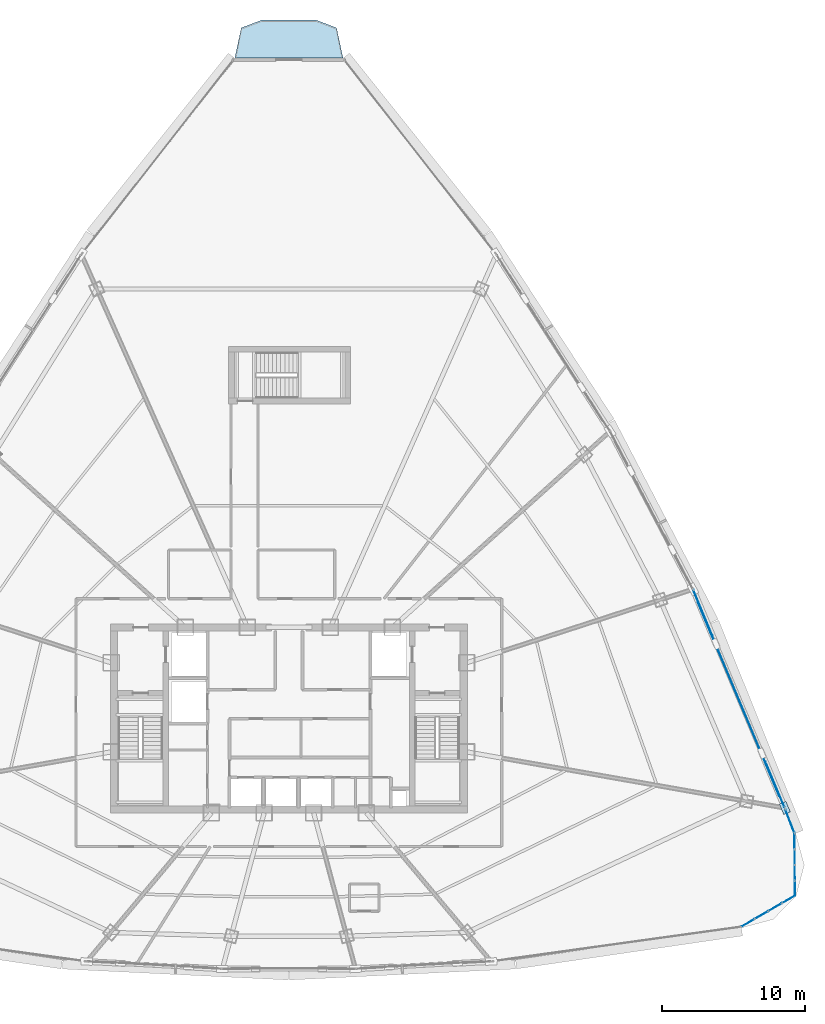
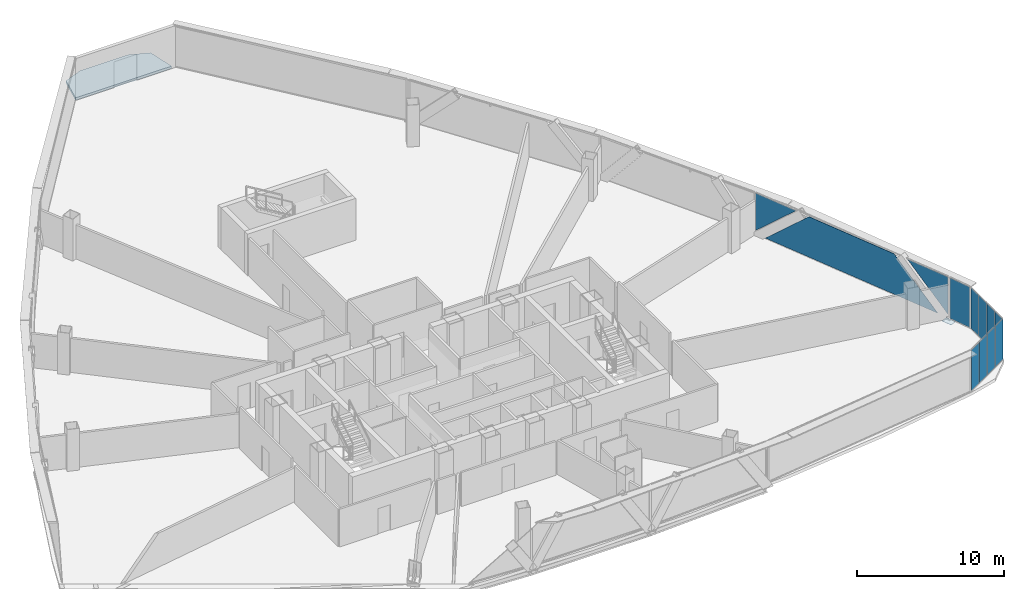
# One storey, part 29 of 37: 13 plates, 1 slab, 4 elements without a shape of their own.
"""IFC4 building model written with IfcOpenShell, lengths in metres."""

import ifcopenshell
import ifcopenshell.guid

model = None  # the IFC model being written
_history = None  # IfcOwnerHistory: only IFC2X3 demands one
_inside = {}  # id of a spatial element -> (the spatial element, [elements in it])
_under = {}  # id of a project, library or spatial element -> (it, [spatial elements below it])
_declared = {}  # id of a project -> (the project, [libraries it declares])
_typed = {}  # id of a type object -> (the type object, [elements of that type])
_made_of = {}  # id of a material, layer set ... -> (it, [elements and type objects made of it])


def new_model(schema):
    """Start an empty IFC model of exactly this schema.

    Asked for "IFC4X3", IfcOpenShell would pick the latest addendum, in which some entities
    have other attributes; the version numbers below select the first issue.
    IFC2X3 requires an IfcOwnerHistory on every rooted entity: one is made here for all.
    """
    global model, _history
    if schema == "IFC4X3":
        model = ifcopenshell.file(schema_version=(4, 3, 0, 0))
    else:
        model = ifcopenshell.file(schema=schema)
    _inside.clear()
    _under.clear()
    _declared.clear()
    _typed.clear()
    _made_of.clear()
    _history = None
    if model.schema == "IFC2X3":
        org = make("IfcOrganization", Name="unknown")
        user = make(
            "IfcPersonAndOrganization",
            ThePerson=make("IfcPerson", FamilyName="unknown"),
            TheOrganization=org,
        )
        app = make(
            "IfcApplication",
            ApplicationDeveloper=org,
            Version="unknown",
            ApplicationFullName="unknown",
            ApplicationIdentifier="unknown",
        )
        _history = make(
            "IfcOwnerHistory",
            OwningUser=user,
            OwningApplication=app,
            ChangeAction="ADDED",
            CreationDate=0,
        )
    return model


def make(cls, **values):
    """One entity of the class cls with the attributes given. An attribute that is None is left unset."""
    return model.create_entity(
        cls, **{name: value for name, value in values.items() if value is not None}
    )


def rooted(cls, **values):
    """An entity with a GlobalId (a new one), such as an element, a storey or a relation."""
    return make(cls, GlobalId=ifcopenshell.guid.new(), OwnerHistory=_history, **values)


def si_unit(unit_type, name, prefix=None):
    """IfcSIUnit, for example si_unit("LENGTHUNIT", "METRE", prefix="MILLI")."""
    return make("IfcSIUnit", UnitType=unit_type, Prefix=prefix, Name=name)


def assignment(units):
    """IfcUnitAssignment: the units of a project."""
    return None if units is None else make("IfcUnitAssignment", Units=units)


def point(xyz):
    """IfcCartesianPoint."""
    return None if xyz is None else make("IfcCartesianPoint", Coordinates=xyz)


def direction(xyz):
    """IfcDirection."""
    return None if xyz is None else make("IfcDirection", DirectionRatios=xyz)


def frame(location, z_axis=None, x_axis=None):
    """IfcAxis2Placement3D, a coordinate frame: its origin and axes. An axis left out is left unset."""
    return make(
        "IfcAxis2Placement3D",
        Location=point(location),
        Axis=direction(z_axis),
        RefDirection=direction(x_axis),
    )


def frame_2d(location, x_axis=None):
    """IfcAxis2Placement2D, a coordinate frame in the plane: its origin and x axis."""
    return make(
        "IfcAxis2Placement2D", Location=point(location), RefDirection=direction(x_axis)
    )


def origin():
    """The frame at (0, 0, 0) with its axes left unset."""
    return frame((0.0, 0.0, 0.0))


def origin_2d():
    """The frame at (0, 0) in the plane with its x axis left unset."""
    return frame_2d((0.0, 0.0))


def place(relative_to, where):
    """IfcLocalPlacement: puts the frame where relative to a parent placement (None: the world)."""
    return make(
        "IfcLocalPlacement", PlacementRelTo=relative_to, RelativePlacement=where
    )


def context(
    kind, dimensions, precision=None, world=None, true_north=None, identifier=None
):
    """IfcGeometricRepresentationContext, for example the 3D "Model" context."""
    return make(
        "IfcGeometricRepresentationContext",
        ContextIdentifier=identifier,
        ContextType=kind,
        CoordinateSpaceDimension=dimensions,
        Precision=precision,
        WorldCoordinateSystem=world,
        TrueNorth=true_north,
    )


def subcontext(parent, identifier, kind, view, scale=None):
    """IfcGeometricRepresentationSubContext, for example "Body" below "Model"."""
    return make(
        "IfcGeometricRepresentationSubContext",
        ContextIdentifier=identifier,
        ContextType=kind,
        ParentContext=parent,
        TargetScale=scale,
        TargetView=view,
    )


def project(units=None, contexts=None):
    """IfcProject with its units and contexts."""
    return rooted(
        "IfcProject",
        Name="project",
        RepresentationContexts=contexts,
        UnitsInContext=assignment(units),
    )


def spatial(cls, under=None, at=None, **own):
    """A site, building, storey or space (cls), placed at a placement, below another one or the project."""
    s = rooted(cls, ObjectPlacement=at, **own)
    if under is not None:
        _under.setdefault(under.id(), (under, []))[1].append(s)
    return s


def polyline(points):
    """IfcPolyline through the points."""
    return make("IfcPolyline", Points=[point(p) for p in points])


def profile(cls, at=None, kind="AREA", **sizes):
    """A parametric profile (cls). Its sizes go by their IFC names, for example OverallWidth=200.0."""
    return make(cls, ProfileType=kind, Position=at, **sizes)


def rectangle(**sizes):
    """IfcRectangleProfileDef."""
    return profile("IfcRectangleProfileDef", **sizes)


def outline(outer, holes=None, kind="AREA"):
    """IfcArbitraryClosedProfileDef: a profile drawn as a closed curve; with holes, ...WithVoids."""
    if holes is None:
        return make("IfcArbitraryClosedProfileDef", ProfileType=kind, OuterCurve=outer)
    return make(
        "IfcArbitraryProfileDefWithVoids",
        ProfileType=kind,
        OuterCurve=outer,
        InnerCurves=holes,
    )


def extrude(swept, where, along, depth):
    """IfcExtrudedAreaSolid: the profile swept, set in the frame where, extruded along a direction by depth."""
    return make(
        "IfcExtrudedAreaSolid",
        SweptArea=swept,
        Position=where,
        ExtrudedDirection=direction(along),
        Depth=depth,
    )


def shape(context_of_items, identifier, shape_type, items):
    """IfcShapeRepresentation: the items that make up one representation, for example the "Body"."""
    return make(
        "IfcShapeRepresentation",
        ContextOfItems=context_of_items,
        RepresentationIdentifier=identifier,
        RepresentationType=shape_type,
        Items=items,
    )


def source(mapping_origin, context_of_items, identifier, shape_type, items):
    """IfcRepresentationMap: a shape defined once, which mapped items show again and again."""
    return make(
        "IfcRepresentationMap",
        MappingOrigin=mapping_origin,
        MappedRepresentation=shape(context_of_items, identifier, shape_type, items),
    )


def transform(
    local_origin,
    x_axis=None,
    y_axis=None,
    z_axis=None,
    scale=None,
    scale2=None,
    scale3=None,
    uniform=True,
):
    """IfcCartesianTransformationOperator3D, or its non-uniform kind. x_axis, y_axis, z_axis: its Axis1, 2, 3."""
    if uniform:
        return make(
            "IfcCartesianTransformationOperator3D",
            Axis1=direction(x_axis),
            Axis2=direction(y_axis),
            LocalOrigin=point(local_origin),
            Scale=scale,
            Axis3=direction(z_axis),
        )
    return make(
        "IfcCartesianTransformationOperator3DnonUniform",
        Axis1=direction(x_axis),
        Axis2=direction(y_axis),
        LocalOrigin=point(local_origin),
        Scale=scale,
        Axis3=direction(z_axis),
        Scale2=scale2,
        Scale3=scale3,
    )


def mapped(mapping_source, mapping_target):
    """IfcMappedItem: shows the shape of a source again, moved by a transform."""
    return make(
        "IfcMappedItem", MappingSource=mapping_source, MappingTarget=mapping_target
    )


def material(Name=None, Category=None):
    """IfcMaterial."""
    return make("IfcMaterial", Name=Name, Category=Category)


def layer(
    of_material, thickness, ventilated=None, Name=None, Category=None, Priority=None
):
    """IfcMaterialLayer: one layer of a wall or slab, of a material (None: an air gap)."""
    return make(
        "IfcMaterialLayer",
        Material=of_material,
        LayerThickness=thickness,
        IsVentilated=ventilated,
        Name=Name,
        Category=Category,
        Priority=Priority,
    )


def layer_set(layers, Name=None):
    """IfcMaterialLayerSet."""
    return make("IfcMaterialLayerSet", MaterialLayers=layers, LayerSetName=Name)


def made_of(thing, what):
    """Note that an element or type object is made of a material, layer set ...; save() writes the relation."""
    if what is not None:
        _made_of.setdefault(what.id(), (what, []))[1].append(thing)
    return thing


def type_object(cls, material=None, **own):
    """A type object (cls), such as IfcWallType, which elements share."""
    return made_of(rooted(cls, **own), material)


def element(
    cls,
    number,
    at=None,
    inside=None,
    cuts=None,
    type_object=None,
    material=None,
    context=None,
    identifier="Body",
    shape_type=None,
    held_by="IfcProductDefinitionShape",
    body=None,
    shapes=None,
    **own,
):
    """One element of the class cls, such as IfcWall. Its Tag is "e" and its number.

    at: its placement. inside: the storey or other place that contains it. cuts: it is an
    opening in that element (IfcRelVoidsElement). A single representation is given by context,
    identifier, shape_type and body (its items); several are given by shapes. held_by: the class
    of the entity that holds the representations. save() writes the other relations.
    """
    e = rooted(cls, Tag="e%d" % number, ObjectPlacement=at, **own)
    if body is not None:
        shapes = [shape(context, identifier, shape_type, body)]
    if shapes is not None:
        e.Representation = make(held_by, Representations=shapes)
    if inside is not None:
        _inside.setdefault(inside.id(), (inside, []))[1].append(e)
    if cuts is not None:
        rooted(
            "IfcRelVoidsElement", RelatingBuildingElement=cuts, RelatedOpeningElement=e
        )
    if type_object is not None:
        _typed.setdefault(type_object.id(), (type_object, []))[1].append(e)
    return made_of(e, material)


def aggregate(whole, parts):
    """IfcRelAggregates: a whole, such as a stair, and the parts it consists of."""
    return rooted("IfcRelAggregates", RelatingObject=whole, RelatedObjects=parts)


def save(model, path):
    """Write the relations noted so far, then the file.

    IfcRelAggregates (storeys below a building ...), IfcRelContainedInSpatialStructure (elements
    in a storey), IfcRelDefinesByType, IfcRelAssociatesMaterial and IfcRelDeclares: one each for
    every whole, place, type object, material and project.
    """
    for whole, parts in _under.values():
        aggregate(whole, parts)
    for where, things in _inside.values():
        rooted(
            "IfcRelContainedInSpatialStructure",
            RelatedElements=things,
            RelatingStructure=where,
        )
    for kind, things in _typed.values():
        rooted("IfcRelDefinesByType", RelatedObjects=things, RelatingType=kind)
    for what, things in _made_of.values():
        rooted("IfcRelAssociatesMaterial", RelatedObjects=things, RelatingMaterial=what)
    for by, libraries in _declared.values():
        rooted("IfcRelDeclares", RelatingContext=by, RelatedDefinitions=libraries)
    model.write(path)


model = new_model("IFC4")

# Units and contexts
model_context = context("Model", 3, precision=1e-05, world=origin(), true_north=direction((0.0, 1.0)))
body_context = subcontext(model_context, "Body", "Model", "MODEL_VIEW")
ifc_project = project(units=[si_unit("LENGTHUNIT", "METRE"), si_unit("AREAUNIT", "SQUARE_METRE"), si_unit("VOLUMEUNIT", "CUBIC_METRE"), si_unit("PLANEANGLEUNIT", "RADIAN"), si_unit("MASSUNIT", "GRAM", prefix="KILO"), si_unit("THERMODYNAMICTEMPERATUREUNIT", "KELVIN"), si_unit("POWERUNIT", "WATT")], contexts=[model_context])

# Site, building, storey
site_placement = place(None, origin())
site = spatial("IfcSite", under=ifc_project, at=site_placement, CompositionType="ELEMENT")
building_placement = place(site_placement, origin())
building = spatial("IfcBuilding", under=site, at=building_placement, Name="Yunzhuo Pagoda Commons", CompositionType="ELEMENT")
storey_placement = place(building_placement, frame((0.0, 0.0, 240.800048828125)))
storey = spatial("IfcBuildingStorey", under=building, at=storey_placement, Name="L60", CompositionType="ELEMENT", Elevation=240.800048828125)

# Curtain wall, plates
ifc_material_1 = material(Name="Anodized aluminium 6063-T6", Category="aluminium")
ifc_layer_1 = layer(ifc_material_1, 0.139892578125)
ifc_layer_set_1 = layer_set([ifc_layer_1], Name="Anodized aluminium 6063-T6")
curtain_wall_type_1 = type_object("IfcCurtainWallType", Name="CW-HI High-Zone Ribbon Curtain Wall", PredefinedType="NOTDEFINED", material=ifc_layer_set_1)
curtain_wall_1_placement = place(storey_placement, origin())
curtain_wall_1 = element("IfcCurtainWall", 1, at=curtain_wall_1_placement, inside=storey, type_object=curtain_wall_type_1, Name="L60 curtain wall CW-L60-F2B2", PredefinedType="NOTDEFINED")
ifc_material_2 = material(Name="Tempered low-e double glazing", Category="glass")
ifc_layer_2 = layer(ifc_material_2, 0.02587890625)
ifc_layer_set_2 = layer_set([ifc_layer_2], Name="Tempered low-e double glazing")
plate_type_1 = type_object("IfcPlateType", Name="CW-HI-P Low-E Double Glazing 26", PredefinedType="CURTAIN_PANEL", material=ifc_layer_set_2)
plate_1_placement = place(storey_placement, frame((81.900390625, 29.238525390625, 1.8603515625), z_axis=(0.922008372235, 0.387169938824, 0.0), x_axis=(-0.387169938824, 0.922008372235, 0.0)))
plate_1 = element("IfcPlate", 2, at=plate_1_placement, type_object=plate_type_1, Name="CW panel 1.1 lite 1", PredefinedType="CURTAIN_PANEL", context=body_context, shape_type="SweptSolid", body=[
    extrude(outline(polyline([(-1.724853515625, -1.5546875), (1.72509765625, 1.5546875), (-1.724853515625, 1.5546875), (-1.724853515625, -1.5546875)])), origin(), (0.0, 0.0, 1.0), 0.028076171875),
])
plate_2_placement = place(storey_placement, frame((79.359375, 35.212646484375, 1.73486328125), z_axis=(0.922008372235, 0.387169938824, 0.0), x_axis=(-0.387169938824, 0.922008372235, 0.0)))
plate_2 = element("IfcPlate", 3, at=plate_2_placement, type_object=plate_type_1, Name="CW panel 1.1 lite 2", PredefinedType="CURTAIN_PANEL", context=body_context, shape_type="SweptSolid", body=[
    extrude(outline(polyline([(-7.35986328125, -1.679931640625), (7.35986328125, -1.679931640625), (3.6318359375, 1.679931640625), (-3.6318359375, 1.679931640625), (-7.35986328125, -1.679931640625)])), origin(), (0.0, 0.0, 1.0), 0.028076171875),
])
plate_3_placement = place(storey_placement, frame((76.87353515625, 41.210205078125, 1.8603515625), z_axis=(0.922008372235, 0.387169938824, 0.0), x_axis=(-0.387169938824, 0.922008372235, 0.0)))
plate_3 = element("IfcPlate", 4, at=plate_3_placement, type_object=plate_type_1, Name="CW panel 1.1 lite 3", PredefinedType="CURTAIN_PANEL", context=body_context, shape_type="SweptSolid", body=[
    extrude(outline(polyline([(-1.72509765625, 1.5546875), (1.724853515625, -1.5546875), (1.724853515625, 1.5546875), (-1.72509765625, 1.5546875)])), origin(), (0.0, 0.0, 1.0), 0.028076171875),
])
aggregate(curtain_wall_1, [plate_1, plate_2, plate_3])

# Slab
ifc_material_3 = material(Name="Concrete C40", Category="concrete")
ifc_layer_3 = layer(ifc_material_3, 0.199951171875)
ifc_layer_set_3 = layer_set([ifc_layer_3], Name="Concrete C40")
slab_type = type_object("IfcSlabType", Name="SL-BAL Vertex Balcony Deck Slab 200", PredefinedType="FLOOR", material=ifc_layer_set_3)
slab_placement = place(storey_placement, frame((0.0, 0.0, -0.199951171875)))
element("IfcSlab", 5, at=slab_placement, inside=storey, type_object=slab_type, Name="L60 corner balcony V3", PredefinedType="FLOOR", context=body_context, shape_type="SweptSolid", body=[
    extrude(outline(polyline([(51.773681640625, 79.934814453125), (44.226318359375, 79.934814453125), (44.676513671875, 82.02978515625), (46.11328125, 82.579833984375), (49.88671875, 82.579833984375), (51.323486328125, 82.02978515625), (51.773681640625, 79.934814453125)])), origin(), (0.0, 0.0, 1.0), 0.199951171875),
])

# Plate
ifc_material_4 = material(Name="Structural steel Q355B", Category="steel")
ifc_layer_4 = layer(ifc_material_4, 0.028076171875)
ifc_layer_set_4 = layer_set([ifc_layer_4], Name="Structural steel Q355B")
plate_type_2 = type_object("IfcPlateType", Name="SP-ND1 Lattice Node Cap Plate 800x500x28", PredefinedType="USERDEFINED", material=ifc_layer_set_4)
shared_shape_1 = source(origin(), body_context, "Body", "SweptSolid", [
    extrude(rectangle(XDim=0.800048828125, YDim=0.5, at=origin_2d()), origin(), (0.0, 0.0, 1.0), 0.028076171875),
])
plate_4_placement = place(storey_placement, frame((82.6044921875, 27.598388671875, -0.27392578125), z_axis=(0.0, 0.0, 1.0), x_axis=(-0.387177679939, 0.922005121546, 0.0)))
element("IfcPlate", 6, at=plate_4_placement, inside=storey, type_object=plate_type_2, Name="L60 diamond node plate F2.1A", ObjectType="STIFFENER_PLATE", PredefinedType="USERDEFINED", context=body_context, shape_type="MappedRepresentation", body=[
    mapped(shared_shape_1, transform((0.0, 0.0, 0.0), scale=1.0)),
])

# Curtain wall, plate
curtain_wall_2_placement = place(storey_placement, origin())
curtain_wall_2 = element("IfcCurtainWall", 7, at=curtain_wall_2_placement, inside=storey, type_object=curtain_wall_type_1, Name="L60 curtain wall CW-L60-F2B1", PredefinedType="NOTDEFINED")
shared_shape_2 = source(origin(), body_context, "Body", "SweptSolid", [
    extrude(rectangle(XDim=1.723876953125, YDim=0.028076171875, at=origin_2d()), origin(), (0.0, 0.0, 1.0), 3.360107421875),
])
plate_5_placement = place(storey_placement, frame((82.95947265625, 26.666748046875, 0.0546875), z_axis=(0.0, 0.0, 1.0), x_axis=(-0.356117115139, 0.934441330585, 0.0)))
plate_5 = element("IfcPlate", 8, at=plate_5_placement, type_object=plate_type_1, Name="CW panel 1.1", PredefinedType="CURTAIN_PANEL", context=body_context, shape_type="MappedRepresentation", body=[
    mapped(shared_shape_2, transform((0.0, 0.0, 0.0), scale=1.0)),
])
aggregate(curtain_wall_2, [plate_5])

# Curtain wall, plates
ifc_layer_5 = layer(ifc_material_1, 0.1298828125)
ifc_layer_set_5 = layer_set([ifc_layer_5], Name="Anodized aluminium 6063-T6")
curtain_wall_type_2 = type_object("IfcCurtainWallType", Name="CW-VTX Rounded Corner Curtain Wall", PredefinedType="NOTDEFINED", material=ifc_layer_set_5)
curtain_wall_3_placement = place(storey_placement, origin())
curtain_wall_3 = element("IfcCurtainWall", 9, at=curtain_wall_3_placement, inside=storey, type_object=curtain_wall_type_2, Name="L60 curtain wall CW-L60-VTX2S1", PredefinedType="NOTDEFINED")
ifc_layer_6 = layer(ifc_material_2, 0.02587890625)
ifc_layer_set_6 = layer_set([ifc_layer_6], Name="Tempered low-e double glazing")
plate_type_3 = type_object("IfcPlateType", Name="CW-VTX-P Low-E Double Glazing 26", PredefinedType="CURTAIN_PANEL", material=ifc_layer_set_6)
shared_shape_3 = source(origin(), body_context, "Body", "SweptSolid", [
    extrude(rectangle(XDim=1.01220703125, YDim=0.028076171875, at=origin_2d()), origin(), (0.0, 0.0, 1.0), 3.360107421875),
])
plate_6_placement = place(storey_placement, frame((80.03955078125, 19.58349609375, 0.0546875), z_axis=(0.0, 0.0, 1.0), x_axis=(0.865426806692, 0.501035370268, 0.0)))
plate_6 = element("IfcPlate", 10, at=plate_6_placement, type_object=plate_type_3, Name="CW panel 1.1", PredefinedType="CURTAIN_PANEL", context=body_context, shape_type="MappedRepresentation", body=[
    mapped(shared_shape_3, transform((0.0, 0.0, 0.0), scale=1.0)),
])
plate_7_placement = place(storey_placement, frame((82.85791015625, 21.215087890625, 0.0546875), z_axis=(0.0, 0.0, 1.0), x_axis=(0.865426806692, 0.501035370268, 0.0)))
plate_7 = element("IfcPlate", 11, at=plate_7_placement, type_object=plate_type_3, Name="CW panel 4.1", PredefinedType="CURTAIN_PANEL", context=body_context, shape_type="MappedRepresentation", body=[
    mapped(shared_shape_3, transform((0.0, 0.0, 0.0), scale=1.0)),
])

curtain_wall_4_placement = place(storey_placement, origin())
curtain_wall_4 = element("IfcCurtainWall", 12, at=curtain_wall_4_placement, inside=storey, type_object=curtain_wall_type_2, Name="L60 curtain wall CW-L60-VTX2S2", PredefinedType="NOTDEFINED")
plate_8_placement = place(storey_placement, frame((83.301513671875, 21.98779296875, 0.0546875), z_axis=(0.0, 0.0, 1.0), x_axis=(-0.003585679809, 0.999993571429, 0.0)))
plate_8 = element("IfcPlate", 13, at=plate_8_placement, type_object=plate_type_3, Name="CW panel 1.1", PredefinedType="CURTAIN_PANEL", context=body_context, shape_type="MappedRepresentation", body=[
    mapped(shared_shape_3, transform((0.0, 0.0, 0.0), scale=1.0)),
])
plate_9_placement = place(storey_placement, frame((83.289794921875, 25.244140625, 0.0546875), z_axis=(0.0, 0.0, 1.0), x_axis=(-0.003585679809, 0.999993571429, 0.0)))
plate_9 = element("IfcPlate", 14, at=plate_9_placement, type_object=plate_type_3, Name="CW panel 4.1", PredefinedType="CURTAIN_PANEL", context=body_context, shape_type="MappedRepresentation", body=[
    mapped(shared_shape_3, transform((0.0, 0.0, 0.0), scale=1.0)),
])

# Plate
shared_shape_4 = source(origin(), body_context, "Body", "SweptSolid", [
    extrude(rectangle(XDim=1.03955078125, YDim=0.028076171875, at=origin_2d()), origin(), (0.0, 0.0, 1.0), 3.360107421875),
])
plate_10_placement = place(storey_placement, frame((80.97509765625, 20.125244140625, 0.0546875), z_axis=(0.0, 0.0, 1.0), x_axis=(0.865426806692, 0.501035370268, 0.0)))
plate_10 = element("IfcPlate", 15, at=plate_10_placement, type_object=plate_type_3, Name="CW panel 2.1", PredefinedType="CURTAIN_PANEL", context=body_context, shape_type="MappedRepresentation", body=[
    mapped(shared_shape_4, transform((0.0, 0.0, 0.0), scale=1.0)),
])

plate_11_placement = place(storey_placement, frame((81.92236328125, 20.673583984375, 0.0546875), z_axis=(0.0, 0.0, 1.0), x_axis=(0.865426806692, 0.501035370268, 0.0)))
plate_11 = element("IfcPlate", 16, at=plate_11_placement, type_object=plate_type_3, Name="CW panel 3.1", PredefinedType="CURTAIN_PANEL", context=body_context, shape_type="MappedRepresentation", body=[
    mapped(shared_shape_4, transform((0.0, 0.0, 0.0), scale=1.0)),
])

aggregate(curtain_wall_3, [plate_6, plate_10, plate_11, plate_7])

plate_12_placement = place(storey_placement, frame((83.297607421875, 23.06884765625, 0.0546875), z_axis=(0.0, 0.0, 1.0), x_axis=(-0.003585679809, 0.999993571429, 0.0)))
plate_12 = element("IfcPlate", 17, at=plate_12_placement, type_object=plate_type_3, Name="CW panel 2.1", PredefinedType="CURTAIN_PANEL", context=body_context, shape_type="MappedRepresentation", body=[
    mapped(shared_shape_4, transform((0.0, 0.0, 0.0), scale=1.0)),
])

plate_13_placement = place(storey_placement, frame((83.293701171875, 24.163330078125, 0.0546875), z_axis=(0.0, 0.0, 1.0), x_axis=(-0.003585679809, 0.999993571429, 0.0)))
plate_13 = element("IfcPlate", 18, at=plate_13_placement, type_object=plate_type_3, Name="CW panel 3.1", PredefinedType="CURTAIN_PANEL", context=body_context, shape_type="MappedRepresentation", body=[
    mapped(shared_shape_4, transform((0.0, 0.0, 0.0), scale=1.0)),
])

aggregate(curtain_wall_4, [plate_8, plate_12, plate_13, plate_9])

save(model, "model.ifc")
